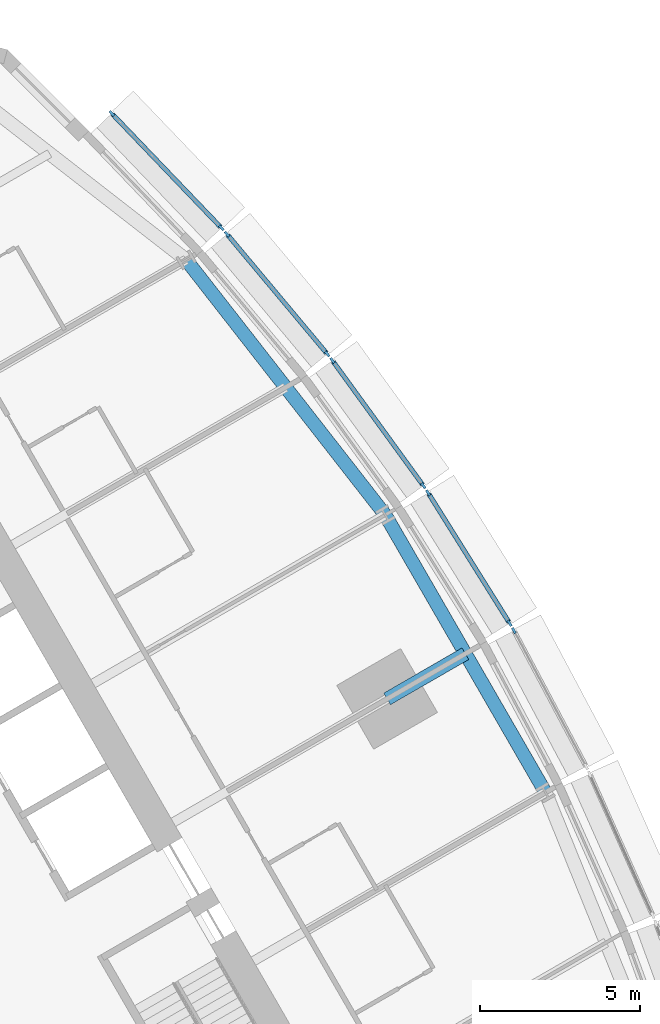
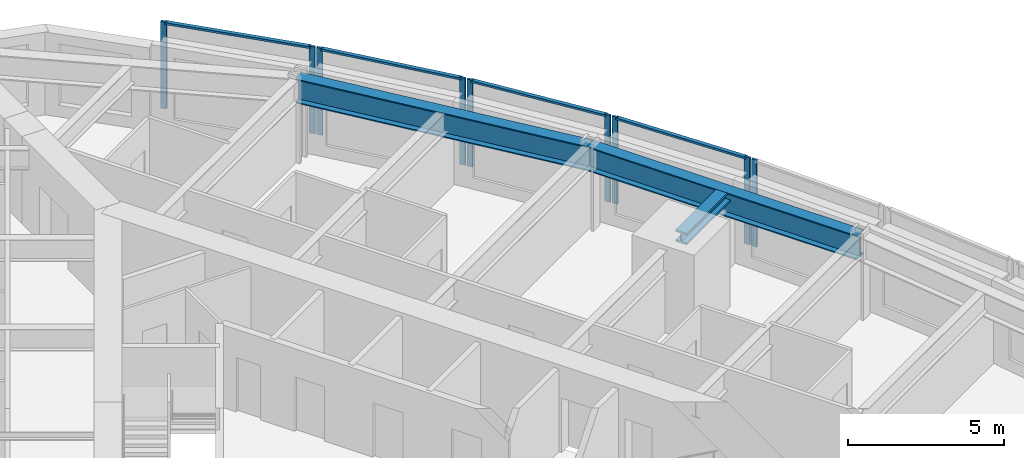
# One storey, part 5 of 14: 13 members, 3 beams, 5 elements without a shape of their own.
"""IFC4 building model written with IfcOpenShell, lengths in metres."""

import ifcopenshell
import ifcopenshell.guid

model = None  # the IFC model being written
_history = None  # IfcOwnerHistory: only IFC2X3 demands one
_inside = {}  # id of a spatial element -> (the spatial element, [elements in it])
_under = {}  # id of a project, library or spatial element -> (it, [spatial elements below it])
_declared = {}  # id of a project -> (the project, [libraries it declares])
_typed = {}  # id of a type object -> (the type object, [elements of that type])
_made_of = {}  # id of a material, layer set ... -> (it, [elements and type objects made of it])


def new_model(schema):
    """Start an empty IFC model of exactly this schema.

    Asked for "IFC4X3", IfcOpenShell would pick the latest addendum, in which some entities
    have other attributes; the version numbers below select the first issue.
    IFC2X3 requires an IfcOwnerHistory on every rooted entity: one is made here for all.
    """
    global model, _history
    if schema == "IFC4X3":
        model = ifcopenshell.file(schema_version=(4, 3, 0, 0))
    else:
        model = ifcopenshell.file(schema=schema)
    _inside.clear()
    _under.clear()
    _declared.clear()
    _typed.clear()
    _made_of.clear()
    _history = None
    if model.schema == "IFC2X3":
        org = make("IfcOrganization", Name="unknown")
        user = make(
            "IfcPersonAndOrganization",
            ThePerson=make("IfcPerson", FamilyName="unknown"),
            TheOrganization=org,
        )
        app = make(
            "IfcApplication",
            ApplicationDeveloper=org,
            Version="unknown",
            ApplicationFullName="unknown",
            ApplicationIdentifier="unknown",
        )
        _history = make(
            "IfcOwnerHistory",
            OwningUser=user,
            OwningApplication=app,
            ChangeAction="ADDED",
            CreationDate=0,
        )
    return model


def make(cls, **values):
    """One entity of the class cls with the attributes given. An attribute that is None is left unset."""
    return model.create_entity(
        cls, **{name: value for name, value in values.items() if value is not None}
    )


def rooted(cls, **values):
    """An entity with a GlobalId (a new one), such as an element, a storey or a relation."""
    return make(cls, GlobalId=ifcopenshell.guid.new(), OwnerHistory=_history, **values)


def si_unit(unit_type, name, prefix=None):
    """IfcSIUnit, for example si_unit("LENGTHUNIT", "METRE", prefix="MILLI")."""
    return make("IfcSIUnit", UnitType=unit_type, Prefix=prefix, Name=name)


def assignment(units):
    """IfcUnitAssignment: the units of a project."""
    return None if units is None else make("IfcUnitAssignment", Units=units)


def point(xyz):
    """IfcCartesianPoint."""
    return None if xyz is None else make("IfcCartesianPoint", Coordinates=xyz)


def direction(xyz):
    """IfcDirection."""
    return None if xyz is None else make("IfcDirection", DirectionRatios=xyz)


def frame(location, z_axis=None, x_axis=None):
    """IfcAxis2Placement3D, a coordinate frame: its origin and axes. An axis left out is left unset."""
    return make(
        "IfcAxis2Placement3D",
        Location=point(location),
        Axis=direction(z_axis),
        RefDirection=direction(x_axis),
    )


def frame_2d(location, x_axis=None):
    """IfcAxis2Placement2D, a coordinate frame in the plane: its origin and x axis."""
    return make(
        "IfcAxis2Placement2D", Location=point(location), RefDirection=direction(x_axis)
    )


def origin():
    """The frame at (0, 0, 0) with its axes left unset."""
    return frame((0.0, 0.0, 0.0))


def origin_2d():
    """The frame at (0, 0) in the plane with its x axis left unset."""
    return frame_2d((0.0, 0.0))


def place(relative_to, where):
    """IfcLocalPlacement: puts the frame where relative to a parent placement (None: the world)."""
    return make(
        "IfcLocalPlacement", PlacementRelTo=relative_to, RelativePlacement=where
    )


def context(
    kind, dimensions, precision=None, world=None, true_north=None, identifier=None
):
    """IfcGeometricRepresentationContext, for example the 3D "Model" context."""
    return make(
        "IfcGeometricRepresentationContext",
        ContextIdentifier=identifier,
        ContextType=kind,
        CoordinateSpaceDimension=dimensions,
        Precision=precision,
        WorldCoordinateSystem=world,
        TrueNorth=true_north,
    )


def subcontext(parent, identifier, kind, view, scale=None):
    """IfcGeometricRepresentationSubContext, for example "Body" below "Model"."""
    return make(
        "IfcGeometricRepresentationSubContext",
        ContextIdentifier=identifier,
        ContextType=kind,
        ParentContext=parent,
        TargetScale=scale,
        TargetView=view,
    )


def project(units=None, contexts=None):
    """IfcProject with its units and contexts."""
    return rooted(
        "IfcProject",
        Name="project",
        RepresentationContexts=contexts,
        UnitsInContext=assignment(units),
    )


def spatial(cls, under=None, at=None, **own):
    """A site, building, storey or space (cls), placed at a placement, below another one or the project."""
    s = rooted(cls, ObjectPlacement=at, **own)
    if under is not None:
        _under.setdefault(under.id(), (under, []))[1].append(s)
    return s


def profile(cls, at=None, kind="AREA", **sizes):
    """A parametric profile (cls). Its sizes go by their IFC names, for example OverallWidth=200.0."""
    return make(cls, ProfileType=kind, Position=at, **sizes)


def rectangle(**sizes):
    """IfcRectangleProfileDef."""
    return profile("IfcRectangleProfileDef", **sizes)


def i_section(**sizes):
    """IfcIShapeProfileDef."""
    return profile("IfcIShapeProfileDef", **sizes)


def extrude(swept, where, along, depth):
    """IfcExtrudedAreaSolid: the profile swept, set in the frame where, extruded along a direction by depth."""
    return make(
        "IfcExtrudedAreaSolid",
        SweptArea=swept,
        Position=where,
        ExtrudedDirection=direction(along),
        Depth=depth,
    )


def shape(context_of_items, identifier, shape_type, items):
    """IfcShapeRepresentation: the items that make up one representation, for example the "Body"."""
    return make(
        "IfcShapeRepresentation",
        ContextOfItems=context_of_items,
        RepresentationIdentifier=identifier,
        RepresentationType=shape_type,
        Items=items,
    )


def material(Name=None, Category=None):
    """IfcMaterial."""
    return make("IfcMaterial", Name=Name, Category=Category)


def material_profile(
    of_material, cross_section, Name=None, Category=None, Priority=None
):
    """IfcMaterialProfile: a cross section and its material."""
    return make(
        "IfcMaterialProfile",
        Name=Name,
        Material=of_material,
        Profile=cross_section,
        Priority=Priority,
        Category=Category,
    )


def profile_set(profiles, Name=None, composite=None):
    """IfcMaterialProfileSet."""
    return make(
        "IfcMaterialProfileSet",
        Name=Name,
        MaterialProfiles=profiles,
        CompositeProfile=composite,
    )


def made_of(thing, what):
    """Note that an element or type object is made of a material, layer set ...; save() writes the relation."""
    if what is not None:
        _made_of.setdefault(what.id(), (what, []))[1].append(thing)
    return thing


def type_object(cls, material=None, **own):
    """A type object (cls), such as IfcWallType, which elements share."""
    return made_of(rooted(cls, **own), material)


def element(
    cls,
    number,
    at=None,
    inside=None,
    cuts=None,
    type_object=None,
    material=None,
    context=None,
    identifier="Body",
    shape_type=None,
    held_by="IfcProductDefinitionShape",
    body=None,
    shapes=None,
    **own,
):
    """One element of the class cls, such as IfcWall. Its Tag is "e" and its number.

    at: its placement. inside: the storey or other place that contains it. cuts: it is an
    opening in that element (IfcRelVoidsElement). A single representation is given by context,
    identifier, shape_type and body (its items); several are given by shapes. held_by: the class
    of the entity that holds the representations. save() writes the other relations.
    """
    e = rooted(cls, Tag="e%d" % number, ObjectPlacement=at, **own)
    if body is not None:
        shapes = [shape(context, identifier, shape_type, body)]
    if shapes is not None:
        e.Representation = make(held_by, Representations=shapes)
    if inside is not None:
        _inside.setdefault(inside.id(), (inside, []))[1].append(e)
    if cuts is not None:
        rooted(
            "IfcRelVoidsElement", RelatingBuildingElement=cuts, RelatedOpeningElement=e
        )
    if type_object is not None:
        _typed.setdefault(type_object.id(), (type_object, []))[1].append(e)
    return made_of(e, material)


def aggregate(whole, parts):
    """IfcRelAggregates: a whole, such as a stair, and the parts it consists of."""
    return rooted("IfcRelAggregates", RelatingObject=whole, RelatedObjects=parts)


def save(model, path):
    """Write the relations noted so far, then the file.

    IfcRelAggregates (storeys below a building ...), IfcRelContainedInSpatialStructure (elements
    in a storey), IfcRelDefinesByType, IfcRelAssociatesMaterial and IfcRelDeclares: one each for
    every whole, place, type object, material and project.
    """
    for whole, parts in _under.values():
        aggregate(whole, parts)
    for where, things in _inside.values():
        rooted(
            "IfcRelContainedInSpatialStructure",
            RelatedElements=things,
            RelatingStructure=where,
        )
    for kind, things in _typed.values():
        rooted("IfcRelDefinesByType", RelatedObjects=things, RelatingType=kind)
    for what, things in _made_of.values():
        rooted("IfcRelAssociatesMaterial", RelatedObjects=things, RelatingMaterial=what)
    for by, libraries in _declared.values():
        rooted("IfcRelDeclares", RelatingContext=by, RelatedDefinitions=libraries)
    model.write(path)


model = new_model("IFC4")

# Units and contexts
model_context = context("Model", 3, precision=1e-05, world=origin(), true_north=direction((0.0, 1.0)))
body_context = subcontext(model_context, "Body", "Model", "MODEL_VIEW")
ifc_project = project(units=[si_unit("LENGTHUNIT", "METRE"), si_unit("AREAUNIT", "SQUARE_METRE"), si_unit("VOLUMEUNIT", "CUBIC_METRE"), si_unit("PLANEANGLEUNIT", "RADIAN"), si_unit("MASSUNIT", "GRAM", prefix="KILO")], contexts=[model_context])

# Site, building, storey
site_placement = place(None, origin())
site = spatial("IfcSite", under=ifc_project, at=site_placement, CompositionType="ELEMENT")
building_placement = place(site_placement, origin())
building = spatial("IfcBuilding", under=site, at=building_placement, Name="Trikona Tower", CompositionType="ELEMENT")
storey_placement = place(building_placement, frame((0.0, 0.0, 152.10009765625)))
storey = spatial("IfcBuildingStorey", under=building, at=storey_placement, Name="L40", CompositionType="ELEMENT", Elevation=152.10009765625)

# Curtain wall, member
ifc_material_1 = material(Name="Aluminium curtain wall system", Category="aluminium")
curtain_wall_type = type_object("IfcCurtainWallType", Name="Curtain wall DS2", PredefinedType="NOTDEFINED", material=ifc_material_1)
curtain_wall_1_placement = place(storey_placement, origin())
curtain_wall_1 = element("IfcCurtainWall", 1, at=curtain_wall_1_placement, inside=storey, type_object=curtain_wall_type, Name="Curtain wall DS2 L40", PredefinedType="NOTDEFINED")
ifc_material_2 = material(Name="Aluminium mullion, pale anodised", Category="aluminium")
ifc_material_profile_1 = material_profile(ifc_material_2, rectangle(XDim=0.080078125, YDim=0.199951171875, at=origin_2d()), Name="MUL-DS2")
ifc_profile_set_1 = profile_set([ifc_material_profile_1], Name="Aluminium mullion, pale anodised")
member_type_1 = type_object("IfcMemberType", Name="Mullion DS2 80x200", PredefinedType="MULLION", material=ifc_profile_set_1)
member_1_placement = place(storey_placement, frame((19.2666015625, 10.9716796875, 0.0), z_axis=(0.0, 0.0, 1.0), x_axis=(-0.882996107343, -0.469380308937, 0.0)))
member_1 = element("IfcMember", 2, at=member_1_placement, type_object=member_type_1, Name="CW-DS2 mullion 2", PredefinedType="MULLION", context=body_context, shape_type="SweptSolid", body=[
    extrude(rectangle(XDim=0.080078125, YDim=0.199951171875, at=origin_2d()), origin(), (0.0, 0.0, 1.0), 3.39990234375),
])
aggregate(curtain_wall_1, [member_1])

# Curtain wall, members
curtain_wall_2_placement = place(storey_placement, origin())
curtain_wall_2 = element("IfcCurtainWall", 3, at=curtain_wall_2_placement, inside=storey, type_object=curtain_wall_type, Name="Curtain wall DS2 L40", PredefinedType="NOTDEFINED")
member_2_placement = place(storey_placement, frame((19.135009765625, 11.199462890625, 0.0), z_axis=(0.0, 0.0, 1.0), x_axis=(-0.847998304006, -0.529998940002, 0.0)))
member_2 = element("IfcMember", 4, at=member_2_placement, type_object=member_type_1, Name="CW-DS2 mullion 1", PredefinedType="MULLION", context=body_context, shape_type="SweptSolid", body=[
    extrude(rectangle(XDim=0.080078125, YDim=0.199951171875, at=origin_2d()), origin(), (0.0, 0.0, 1.0), 3.39990234375),
])
member_3_placement = place(storey_placement, frame((16.589599609375, 15.2724609375, 0.0), z_axis=(0.0, 0.0, 1.0), x_axis=(-0.847998304006, -0.529998940002, 0.0)))
member_3 = element("IfcMember", 5, at=member_3_placement, type_object=member_type_1, Name="CW-DS2 mullion 2", PredefinedType="MULLION", context=body_context, shape_type="SweptSolid", body=[
    extrude(rectangle(XDim=0.080078125, YDim=0.199951171875, at=origin_2d()), origin(), (0.0, 0.0, 1.0), 3.39990234375),
])

curtain_wall_3_placement = place(storey_placement, origin())
curtain_wall_3 = element("IfcCurtainWall", 6, at=curtain_wall_3_placement, inside=storey, type_object=curtain_wall_type, Name="Curtain wall DS2 L40", PredefinedType="NOTDEFINED")
member_4_placement = place(storey_placement, frame((16.442626953125, 15.489990234375, 0.0), z_axis=(0.0, 0.0, 1.0), x_axis=(-0.80908576332, -0.587690588313, 0.0)))
member_4 = element("IfcMember", 7, at=member_4_placement, type_object=member_type_1, Name="CW-DS2 mullion 1", PredefinedType="MULLION", context=body_context, shape_type="SweptSolid", body=[
    extrude(rectangle(XDim=0.080078125, YDim=0.199951171875, at=origin_2d()), origin(), (0.0, 0.0, 1.0), 3.39990234375),
])
member_5_placement = place(storey_placement, frame((13.605712890625, 19.39599609375, 0.0), z_axis=(0.0, 0.0, 1.0), x_axis=(-0.80908576332, -0.587690588313, 0.0)))
member_5 = element("IfcMember", 8, at=member_5_placement, type_object=member_type_1, Name="CW-DS2 mullion 2", PredefinedType="MULLION", context=body_context, shape_type="SweptSolid", body=[
    extrude(rectangle(XDim=0.080078125, YDim=0.199951171875, at=origin_2d()), origin(), (0.0, 0.0, 1.0), 3.39990234375),
])

curtain_wall_4_placement = place(storey_placement, origin())
curtain_wall_4 = element("IfcCurtainWall", 9, at=curtain_wall_4_placement, inside=storey, type_object=curtain_wall_type, Name="Curtain wall DS2 L40", PredefinedType="NOTDEFINED")
member_6_placement = place(storey_placement, frame((13.44482421875, 19.602294921875, 0.0), z_axis=(0.0, 0.0, 1.0), x_axis=(-0.766866678271, -0.641806433248, 0.0)))
member_6 = element("IfcMember", 10, at=member_6_placement, type_object=member_type_1, Name="CW-DS2 mullion 1", PredefinedType="MULLION", context=body_context, shape_type="SweptSolid", body=[
    extrude(rectangle(XDim=0.080078125, YDim=0.199951171875, at=origin_2d()), origin(), (0.0, 0.0, 1.0), 3.39990234375),
])
member_7_placement = place(storey_placement, frame((10.315185546875, 23.34130859375, 0.0), z_axis=(0.0, 0.0, 1.0), x_axis=(-0.766866678271, -0.641806433248, 0.0)))
member_7 = element("IfcMember", 11, at=member_7_placement, type_object=member_type_1, Name="CW-DS2 mullion 2", PredefinedType="MULLION", context=body_context, shape_type="SweptSolid", body=[
    extrude(rectangle(XDim=0.080078125, YDim=0.199951171875, at=origin_2d()), origin(), (0.0, 0.0, 1.0), 3.39990234375),
])

curtain_wall_5_placement = place(storey_placement, origin())
curtain_wall_5 = element("IfcCurtainWall", 12, at=curtain_wall_5_placement, inside=storey, type_object=curtain_wall_type, Name="Curtain wall DS2 L40", PredefinedType="NOTDEFINED")
member_8_placement = place(storey_placement, frame((10.1416015625, 23.535400390625, 0.0), z_axis=(0.0, 0.0, 1.0), x_axis=(-0.722158330767, -0.691727797117, 0.0)))
member_8 = element("IfcMember", 13, at=member_8_placement, type_object=member_type_1, Name="CW-DS2 mullion 1", PredefinedType="MULLION", context=body_context, shape_type="SweptSolid", body=[
    extrude(rectangle(XDim=0.080078125, YDim=0.199951171875, at=origin_2d()), origin(), (0.0, 0.0, 1.0), 3.39990234375),
])
member_9_placement = place(storey_placement, frame((6.718994140625, 27.1083984375, 0.0), z_axis=(0.0, 0.0, 1.0), x_axis=(-0.722158330767, -0.691727797117, 0.0)))
member_9 = element("IfcMember", 14, at=member_9_placement, type_object=member_type_1, Name="CW-DS2 mullion 2", PredefinedType="MULLION", context=body_context, shape_type="SweptSolid", body=[
    extrude(rectangle(XDim=0.080078125, YDim=0.199951171875, at=origin_2d()), origin(), (0.0, 0.0, 1.0), 3.39990234375),
])

# Beams
ifc_material_3 = material(Name="Steel ASTM A992 Grade 50", Category="steel")
ifc_material_profile_2 = material_profile(ifc_material_3, i_section(OverallWidth=0.419189453125, OverallDepth=0.45458984375, WebThickness=0.042236328125, FlangeThickness=0.067626953125, at=origin_2d()), Name="W14X370")
ifc_profile_set_2 = profile_set([ifc_material_profile_2], Name="Steel ASTM A992 Grade 50")
beam_type_1 = type_object("IfcBeamType", Name="Steel beam W14x370 (apex bracket)", PredefinedType="BEAM", material=ifc_profile_set_2)
beam_1_placement = place(storey_placement, frame((15.311767578125, 8.84033203125, 3.007568359375), z_axis=(0.86605005072, 0.499957307824, 0.0), x_axis=(-0.499957307824, 0.86605005072, 0.0)))
element("IfcBeam", 15, at=beam_1_placement, inside=storey, type_object=beam_type_1, Name="Cantilever bracket L41 F2", PredefinedType="BEAM", context=body_context, shape_type="SweptSolid", body=[
    extrude(i_section(OverallWidth=0.419189453125, OverallDepth=0.45458984375, WebThickness=0.042236328125, FlangeThickness=0.067626953125, at=origin_2d()), origin(), (0.0, 0.0, 1.0), 2.819580078125),
])
ifc_material_4 = material(Name="Steel ASTM A992 Grade 50", Category="steel")
ifc_material_profile_3 = material_profile(ifc_material_4, i_section(OverallWidth=0.424072265625, OverallDepth=0.947509765625, WebThickness=0.02392578125, FlangeThickness=0.042724609375, at=origin_2d()), Name="W36X302")
ifc_profile_set_3 = profile_set([ifc_material_profile_3], Name="Steel ASTM A992 Grade 50")
beam_type_2 = type_object("IfcBeamType", Name="Steel beam W36x302 (spandrel)", PredefinedType="SPANDREL", material=ifc_profile_set_3)
beam_2_placement = place(storey_placement, frame((20.253662109375, 5.919921875, 2.76123046875), z_axis=(-0.500004234368, 0.866022959057, 0.0), x_axis=(-0.866022959057, -0.500004234368, 0.0)))
element("IfcBeam", 16, at=beam_2_placement, inside=storey, type_object=beam_type_2, Name="Spandrel beam L41 F2-3", PredefinedType="SPANDREL", context=body_context, shape_type="SweptSolid", body=[
    extrude(i_section(OverallWidth=0.424072265625, OverallDepth=0.947509765625, WebThickness=0.02392578125, FlangeThickness=0.042724609375, at=origin_2d()), origin(), (0.0, 0.0, 1.0), 10.0),
])
beam_3_placement = place(storey_placement, frame((15.253662109375, 14.580078125, 2.76123046875), z_axis=(-0.615232009054, 0.788346101046, 0.0), x_axis=(-0.788346101046, -0.615232009054, 0.0)))
element("IfcBeam", 17, at=beam_3_placement, inside=storey, type_object=beam_type_2, Name="Spandrel beam L41 F2-4", PredefinedType="SPANDREL", context=body_context, shape_type="SweptSolid", body=[
    extrude(i_section(OverallWidth=0.424072265625, OverallDepth=0.947509765625, WebThickness=0.02392578125, FlangeThickness=0.042724609375, at=origin_2d()), origin(), (0.0, 0.0, 1.0), 10.09765625),
])

# Member
ifc_material_5 = material(Name="Aluminium transom, pale anodised", Category="aluminium")
ifc_material_profile_4 = material_profile(ifc_material_5, rectangle(XDim=0.139892578125, YDim=0.080078125, at=origin_2d()), Name="TRN-DS2")
ifc_profile_set_4 = profile_set([ifc_material_profile_4], Name="Aluminium transom, pale anodised")
member_type_2 = type_object("IfcMemberType", Name="Transom DS2 80x140", PredefinedType="USERDEFINED", material=ifc_profile_set_4)
member_10_placement = place(storey_placement, frame((19.114013671875, 11.2333984375, 3.35986328125), z_axis=(-0.530031463794, 0.847977975769, 0.0), x_axis=(-0.847977975769, -0.530031463794, 0.0)))
member_10 = element("IfcMember", 18, at=member_10_placement, type_object=member_type_2, Name="CW-DS2 transom 1.1", ObjectType="TRANSOM", PredefinedType="USERDEFINED", context=body_context, shape_type="SweptSolid", body=[
    extrude(rectangle(XDim=0.139892578125, YDim=0.080078125, at=origin_2d()), origin(), (0.0, 0.0, 1.0), 4.72314453125),
])

aggregate(curtain_wall_2, [member_2, member_3, member_10])

member_11_placement = place(storey_placement, frame((16.419189453125, 15.5224609375, 3.35986328125), z_axis=(-0.587694585883, 0.809082859616, 0.0), x_axis=(-0.809082859616, -0.587694585883, 0.0)))
member_11 = element("IfcMember", 19, at=member_11_placement, type_object=member_type_2, Name="CW-DS2 transom 1.1", ObjectType="TRANSOM", PredefinedType="USERDEFINED", context=body_context, shape_type="SweptSolid", body=[
    extrude(rectangle(XDim=0.139892578125, YDim=0.080078125, at=origin_2d()), origin(), (0.0, 0.0, 1.0), 4.747314453125),
])

aggregate(curtain_wall_3, [member_4, member_5, member_11])

member_12_placement = place(storey_placement, frame((13.4189453125, 19.6328125, 3.35986328125), z_axis=(-0.641770294892, 0.766896921753, 0.0), x_axis=(-0.766896921753, -0.641770294892, 0.0)))
member_12 = element("IfcMember", 20, at=member_12_placement, type_object=member_type_2, Name="CW-DS2 transom 1.1", ObjectType="TRANSOM", PredefinedType="USERDEFINED", context=body_context, shape_type="SweptSolid", body=[
    extrude(rectangle(XDim=0.139892578125, YDim=0.080078125, at=origin_2d()), origin(), (0.0, 0.0, 1.0), 4.7958984375),
])

aggregate(curtain_wall_4, [member_6, member_7, member_12])

member_13_placement = place(storey_placement, frame((10.114013671875, 23.564208984375, 3.35986328125), z_axis=(-0.691721246785, 0.722164605022, 0.0), x_axis=(-0.722164605022, -0.691721246785, 0.0)))
member_13 = element("IfcMember", 21, at=member_13_placement, type_object=member_type_2, Name="CW-DS2 transom 1.1", ObjectType="TRANSOM", PredefinedType="USERDEFINED", context=body_context, shape_type="SweptSolid", body=[
    extrude(rectangle(XDim=0.139892578125, YDim=0.080078125, at=origin_2d()), origin(), (0.0, 0.0, 1.0), 4.867919921875),
])

aggregate(curtain_wall_5, [member_8, member_9, member_13])

save(model, "model.ifc")
